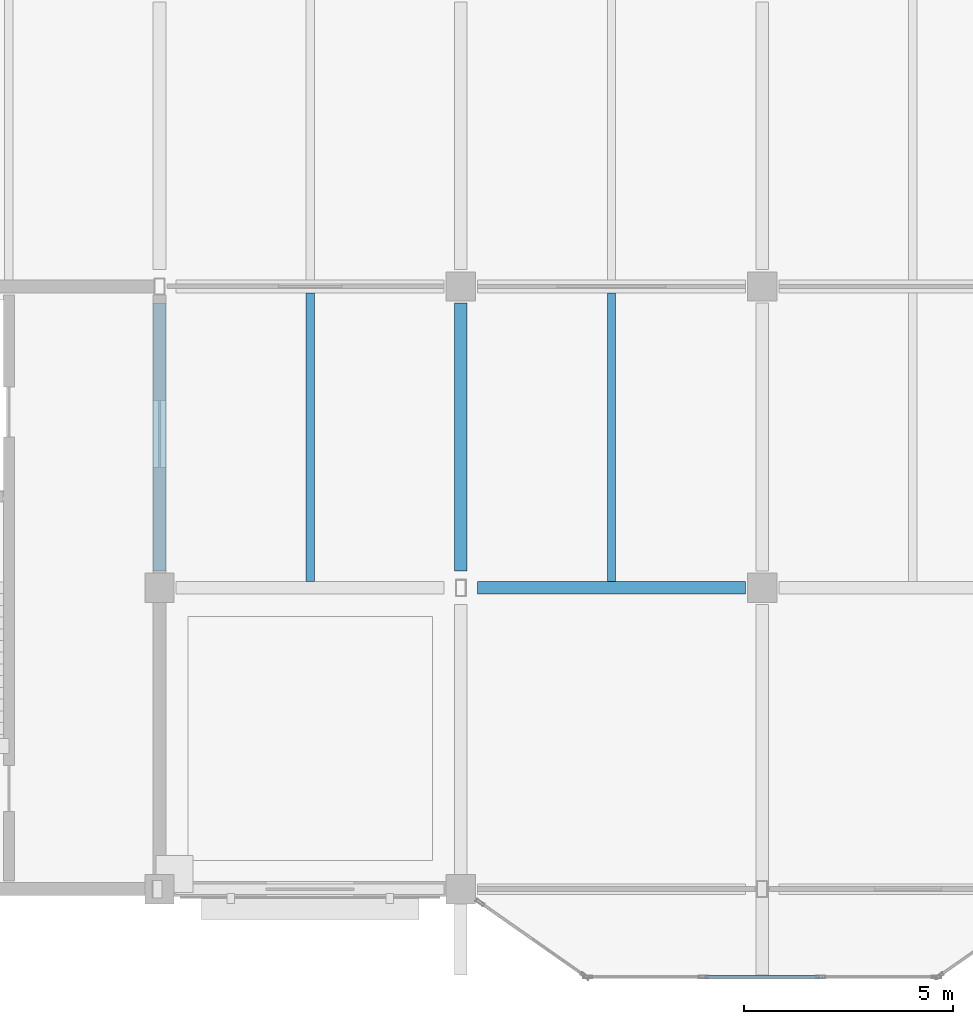
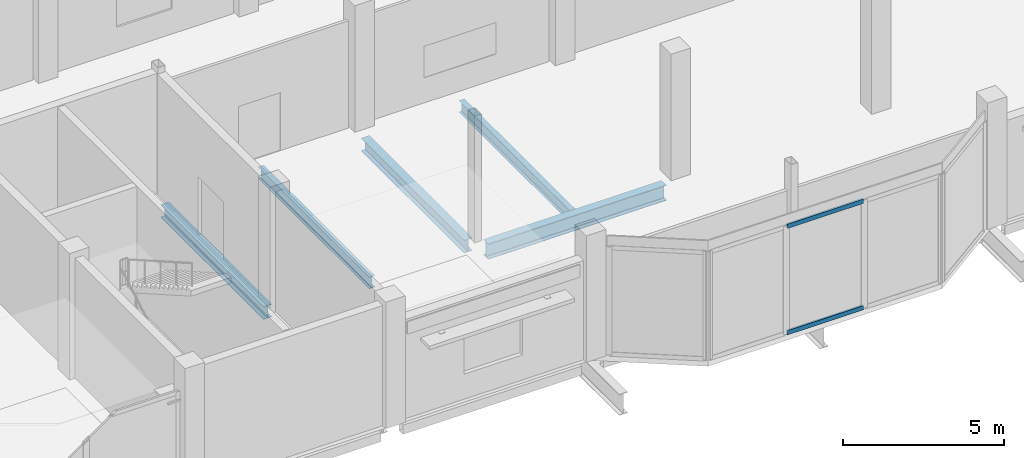
# One storey, part 64 of 120: 5 beams, 2 members, 1 element without a shape of its own.
"""IFC4 building model written with IfcOpenShell, lengths in metres."""

from ifc_helpers import new_model, si_unit, direction, frame, origin, origin_2d, place, context, subcontext, project, spatial, hollow_rectangle, i_section, extrude, material, material_profile, profile_set, type_object, element, aggregate, save


model = new_model("IFC4")

# Units and contexts
model_context = context("Model", 3, precision=1e-05, world=origin(), true_north=direction((0.0, 1.0)))
body_context = subcontext(model_context, "Body", "Model", "MODEL_VIEW")
ifc_project = project(units=[si_unit("LENGTHUNIT", "METRE"), si_unit("AREAUNIT", "SQUARE_METRE"), si_unit("VOLUMEUNIT", "CUBIC_METRE"), si_unit("PLANEANGLEUNIT", "RADIAN"), si_unit("MASSUNIT", "GRAM", prefix="KILO")], contexts=[model_context])

# Site, building, storey
site_placement = place(None, origin())
site = spatial("IfcSite", under=ifc_project, at=site_placement, CompositionType="ELEMENT")
building_placement = place(site_placement, origin())
building = spatial("IfcBuilding", under=site, at=building_placement, Name="Vesperath Aquatics Centre", CompositionType="ELEMENT")
storey_placement = place(building_placement, frame((0.0, 0.0, 10.199951171875)))
storey = spatial("IfcBuildingStorey", under=building, at=storey_placement, Name="L02", CompositionType="ELEMENT", Elevation=10.199951171875)

# Beams
ifc_material_1 = material(Name="Steel Q355C", Category="steel")
ifc_material_profile_1 = material_profile(ifc_material_1, i_section(OverallWidth=0.300048828125, OverallDepth=0.587890625, WebThickness=0.011962890625, FlangeThickness=0.02001953125, FilletRadius=0.028076171875, at=origin_2d()), Name="HM 588x300x12x20")
ifc_profile_set_1 = profile_set([ifc_material_profile_1], Name="Steel Q355C")
beam_type_1 = type_object("IfcBeamType", Name="BM-G09", PredefinedType="BEAM", material=ifc_profile_set_1)
beam_placement = place(storey_placement, frame((137.199951171875, 7.199951171875, -0.553955078125), z_axis=(1.0, 0.0, 0.0), x_axis=(0.0, 1.0, 0.0)))
element("IfcBeam", 1, at=beam_placement, inside=storey, type_object=beam_type_1, Name="Floor Girder B09 L02 B 20-21", PredefinedType="BEAM", context=body_context, shape_type="SweptSolid", body=[
    extrude(i_section(OverallWidth=0.300048828125, OverallDepth=0.587890625, WebThickness=0.011962890625, FlangeThickness=0.02001953125, FilletRadius=0.028076171875, at=origin_2d()), origin(), (0.0, 0.0, 1.0), 6.400146484375),
])
ifc_material_profile_2 = material_profile(ifc_material_1, i_section(OverallWidth=0.300048828125, OverallDepth=0.488037109375, WebThickness=0.010986328125, FlangeThickness=0.01806640625, FilletRadius=0.02587890625, at=origin_2d()), Name="HM 488x300x11x18")
ifc_profile_set_2 = profile_set([ifc_material_profile_2], Name="Steel Q355C")
beam_type_2 = type_object("IfcBeamType", Name="BM-G10", PredefinedType="BEAM", material=ifc_profile_set_2)
for number, where, z_axis, x_axis, name in (
    (2, (129.60009765625, 7.60009765625, -0.50390625), (0.0, 1.0, 0.0), (-1.0, 0.0, 0.0), "Floor Girder B10 L02 19 B-C"),
    (3, (136.800048828125, 7.60009765625, -0.50390625), (0.0, 1.0, 0.0), (-1.0, 0.0, 0.0), "Floor Girder B10 L02 20 B-C"),
):
    element("IfcBeam", number, at=place(storey_placement, frame(where, z_axis=z_axis, x_axis=x_axis)), inside=storey, type_object=beam_type_2, Name=name, PredefinedType="BEAM", context=body_context, shape_type="SweptSolid", body=[
        extrude(i_section(OverallWidth=0.300048828125, OverallDepth=0.488037109375, WebThickness=0.010986328125, FlangeThickness=0.01806640625, FilletRadius=0.02587890625, at=origin_2d()), origin(), (0.0, 0.0, 1.0), 6.39990234375),
    ])
ifc_material_profile_3 = material_profile(ifc_material_1, i_section(OverallWidth=0.199951171875, OverallDepth=0.449951171875, WebThickness=0.009033203125, FlangeThickness=0.013916015625, FilletRadius=0.01611328125, at=origin_2d()), Name="HN 450x200x9x14")
ifc_profile_set_3 = profile_set([ifc_material_profile_3], Name="Steel Q355C")
beam_type_3 = type_object("IfcBeamType", Name="BM-J03", PredefinedType="JOIST", material=ifc_profile_set_3)
for number, where, z_axis, x_axis, name in (
    (4, (133.199951171875, 7.35009765625, -0.48486328125), (0.0, 1.0, 0.0), (-1.0, 0.0, 0.0), "Secondary Floor Joist J03 L02 19/B"),
    (5, (140.39990234375, 7.35009765625, -0.48486328125), (0.0, 1.0, 0.0), (-1.0, 0.0, 0.0), "Secondary Floor Joist J03 L02 20/B"),
):
    element("IfcBeam", number, at=place(storey_placement, frame(where, z_axis=z_axis, x_axis=x_axis)), inside=storey, type_object=beam_type_3, Name=name, PredefinedType="JOIST", context=body_context, shape_type="SweptSolid", body=[
        extrude(i_section(OverallWidth=0.199951171875, OverallDepth=0.449951171875, WebThickness=0.009033203125, FlangeThickness=0.013916015625, FilletRadius=0.01611328125, at=origin_2d()), origin(), (0.0, 0.0, 1.0), 6.89990234375),
    ])

# Curtain wall, members
ifc_material_2 = material(Name="Thermally broken anodised bronze aluminium curtain wall", Category="aluminium")
curtain_wall_type = type_object("IfcCurtainWallType", Name="CW-02", PredefinedType="NOTDEFINED", material=ifc_material_2)
curtain_wall_placement = place(storey_placement, origin())
curtain_wall = element("IfcCurtainWall", 6, at=curtain_wall_placement, inside=storey, type_object=curtain_wall_type, Name="South Boulevard Bow Oriel Curtain Wall L02-C", PredefinedType="NOTDEFINED")
ifc_material_3 = material(Name="Thermally broken anodised aluminium", Category="aluminium")
ifc_material_profile_4 = material_profile(ifc_material_3, hollow_rectangle(XDim=0.070068359375, YDim=0.159912109375, WallThickness=0.0048828125, at=origin_2d()), Name="CWT 70x160x5")
ifc_profile_set_4 = profile_set([ifc_material_profile_4], Name="Thermally broken anodised aluminium")
member_type = type_object("IfcMemberType", Name="MB-CWT2", PredefinedType="USERDEFINED", material=ifc_profile_set_4)
member_1_placement = place(storey_placement, frame((142.635009765625, -2.10009765625, 0.03515625), z_axis=(1.0, 0.0, 0.0), x_axis=(0.0, 1.0, 0.0)))
member_1 = element("IfcMember", 7, at=member_1_placement, type_object=member_type, Name="CW02 transom 2.1", ObjectType="TRANSOM", PredefinedType="USERDEFINED", context=body_context, shape_type="SweptSolid", body=[
    extrude(hollow_rectangle(XDim=0.070068359375, YDim=0.159912109375, WallThickness=0.0048828125, at=origin_2d()), origin(), (0.0, 0.0, 1.0), 2.72998046875),
])
member_2_placement = place(storey_placement, frame((142.635009765625, -2.10009765625, 4.074951171875), z_axis=(1.0, 0.0, 0.0), x_axis=(0.0, 1.0, 0.0)))
member_2 = element("IfcMember", 8, at=member_2_placement, type_object=member_type, Name="CW02 transom 2.2", ObjectType="TRANSOM", PredefinedType="USERDEFINED", context=body_context, shape_type="SweptSolid", body=[
    extrude(hollow_rectangle(XDim=0.070068359375, YDim=0.159912109375, WallThickness=0.0048828125, at=origin_2d()), origin(), (0.0, 0.0, 1.0), 2.72998046875),
])
aggregate(curtain_wall, [member_1, member_2])

save(model, "model.ifc")
